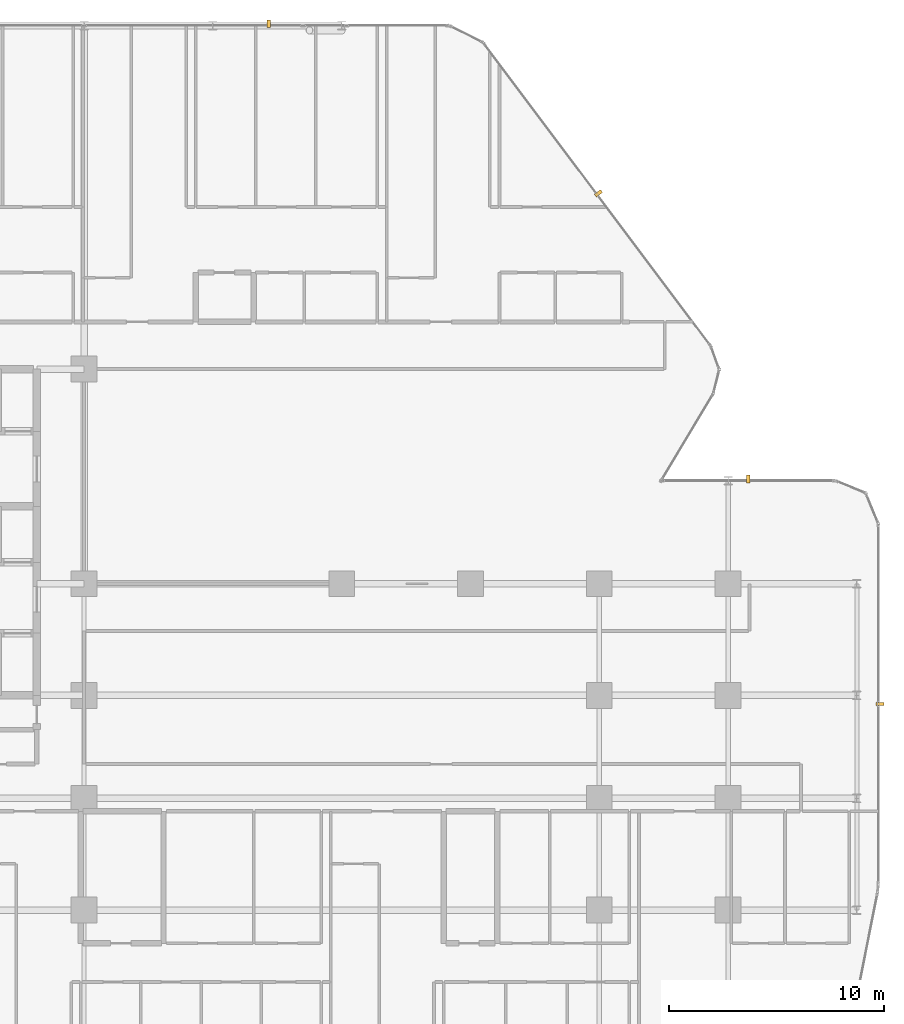
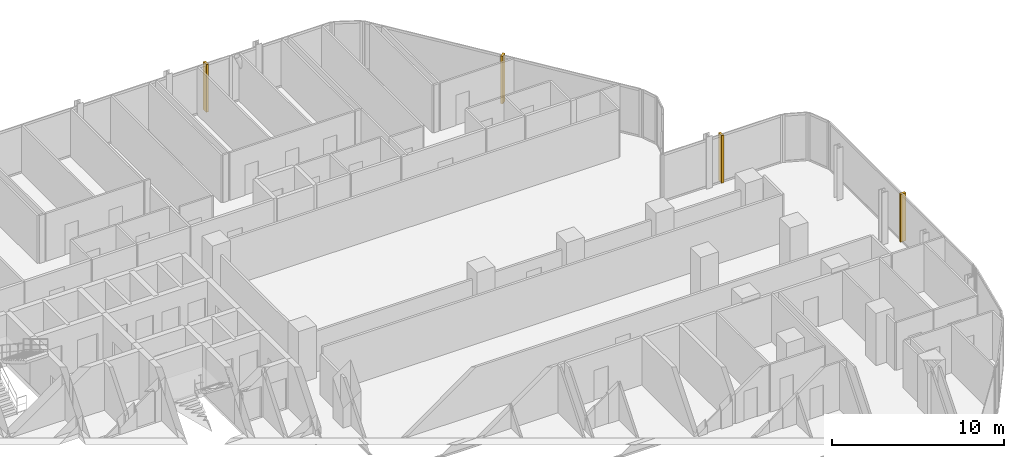
# One storey, part 34 of 34: 4 coverings.
"""IFC4 building model written with IfcOpenShell, lengths in metres."""

from ifc_helpers import new_model, si_unit, direction, frame, origin, origin_2d, place, context, subcontext, project, spatial, rectangle, extrude, material, type_object, element, save


model = new_model("IFC4")

# Units and contexts
model_context = context("Model", 3, precision=1e-05, world=origin(), true_north=direction((0.0, 1.0)))
body_context = subcontext(model_context, "Body", "Model", "MODEL_VIEW")
ifc_project = project(units=[si_unit("LENGTHUNIT", "METRE"), si_unit("AREAUNIT", "SQUARE_METRE"), si_unit("VOLUMEUNIT", "CUBIC_METRE"), si_unit("PLANEANGLEUNIT", "RADIAN"), si_unit("MASSUNIT", "GRAM", prefix="KILO")], contexts=[model_context])

# Site, building, storey
site_placement = place(None, origin())
site = spatial("IfcSite", under=ifc_project, at=site_placement, CompositionType="ELEMENT")
building_placement = place(site_placement, origin())
building = spatial("IfcBuilding", under=site, at=building_placement, Name="Keshet Zoharim Tower", CompositionType="ELEMENT")
storey_placement = place(building_placement, frame((0.0, 0.0, 53.60009765625)))
storey = spatial("IfcBuildingStorey", under=building, at=storey_placement, Name="L12", CompositionType="ELEMENT", Elevation=53.60009765625)

# Coverings
ifc_material = material(Name="Concrete C50/60 precast", Category="concrete")
covering_type = type_object("IfcCoveringType", Name="FIN-SOL-360", PredefinedType="CLADDING", material=ifc_material)
for number, where, z_axis, x_axis, name in (
    (1, (41.593994140625, 53.97998046875, 0.0), (0.0, 0.0, 1.0), (1.0, 0.0, 0.0), "L12 Vertical Precast Solar Fin 06"),
    (2, (56.9609375, 46.0859375, 0.0), (0.0, 0.0, 1.0), (0.600000000002, -0.799999999998, 0.0), "L12 Vertical Precast Solar Fin 07"),
    (3, (63.93994140625, 32.780029296875, 0.0), (0.0, 0.0, 1.0), (1.0, 0.0, 0.0), "L12 Vertical Precast Solar Fin 08"),
    (4, (70.080078125, 22.299072265625, 0.0), (0.0, 0.0, 1.0), (0.0, -1.0, 0.0), "L12 Vertical Precast Solar Fin 09"),
):
    element("IfcCovering", number, at=place(storey_placement, frame(where, z_axis=z_axis, x_axis=x_axis)), inside=storey, type_object=covering_type, Name=name, PredefinedType="CLADDING", context=body_context, shape_type="SweptSolid", body=[
        extrude(rectangle(XDim=0.159912109375, YDim=0.360107421875, at=origin_2d()), origin(), (0.0, 0.0, 1.0), 3.385009765625),
    ])

save(model, "model.ifc")
